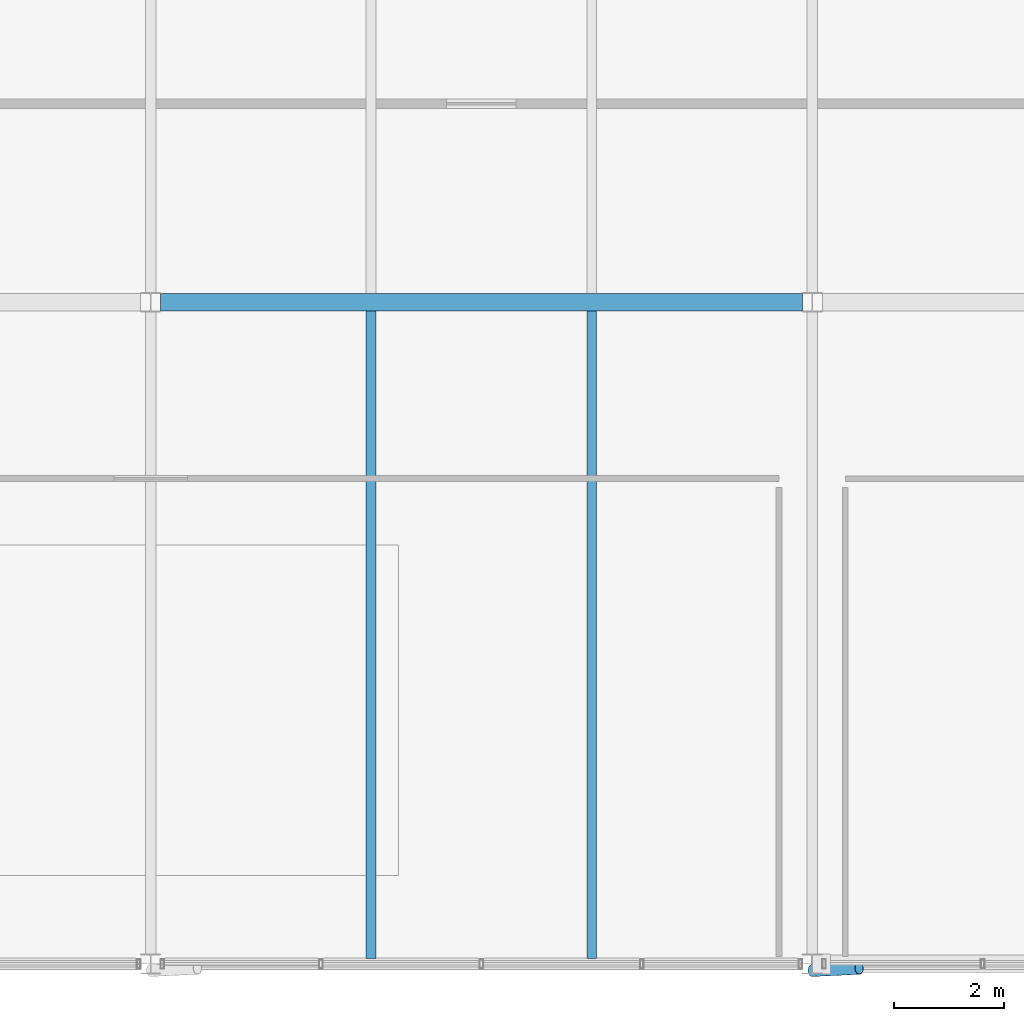
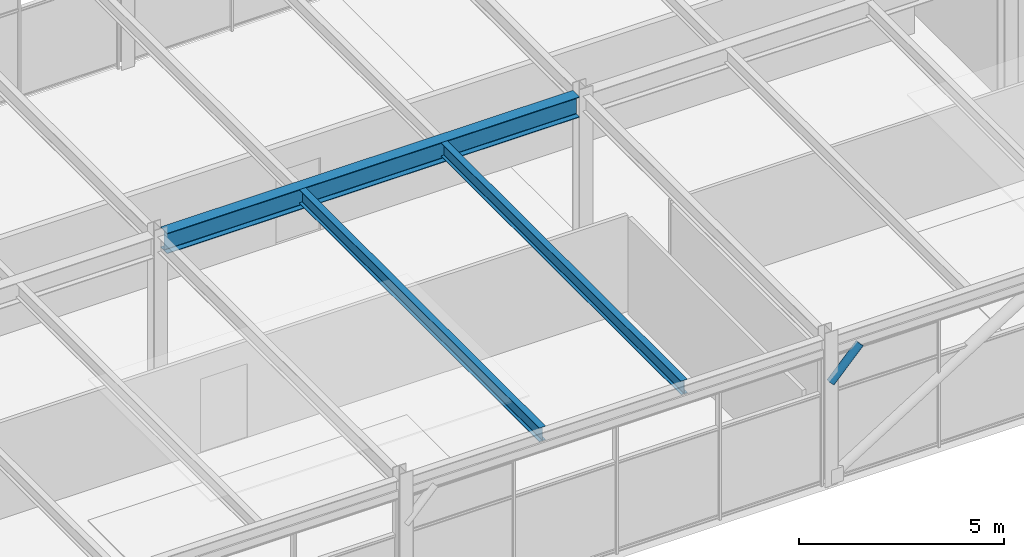
# One storey, part 15 of 28: 3 beams, 1 member.
"""IFC4 building model written with IfcOpenShell, lengths in metres."""

import ifcopenshell
import ifcopenshell.guid

model = None  # the IFC model being written
_history = None  # IfcOwnerHistory: only IFC2X3 demands one
_inside = {}  # id of a spatial element -> (the spatial element, [elements in it])
_under = {}  # id of a project, library or spatial element -> (it, [spatial elements below it])
_declared = {}  # id of a project -> (the project, [libraries it declares])
_typed = {}  # id of a type object -> (the type object, [elements of that type])
_made_of = {}  # id of a material, layer set ... -> (it, [elements and type objects made of it])


def new_model(schema):
    """Start an empty IFC model of exactly this schema.

    Asked for "IFC4X3", IfcOpenShell would pick the latest addendum, in which some entities
    have other attributes; the version numbers below select the first issue.
    IFC2X3 requires an IfcOwnerHistory on every rooted entity: one is made here for all.
    """
    global model, _history
    if schema == "IFC4X3":
        model = ifcopenshell.file(schema_version=(4, 3, 0, 0))
    else:
        model = ifcopenshell.file(schema=schema)
    _inside.clear()
    _under.clear()
    _declared.clear()
    _typed.clear()
    _made_of.clear()
    _history = None
    if model.schema == "IFC2X3":
        org = make("IfcOrganization", Name="unknown")
        user = make(
            "IfcPersonAndOrganization",
            ThePerson=make("IfcPerson", FamilyName="unknown"),
            TheOrganization=org,
        )
        app = make(
            "IfcApplication",
            ApplicationDeveloper=org,
            Version="unknown",
            ApplicationFullName="unknown",
            ApplicationIdentifier="unknown",
        )
        _history = make(
            "IfcOwnerHistory",
            OwningUser=user,
            OwningApplication=app,
            ChangeAction="ADDED",
            CreationDate=0,
        )
    return model


def make(cls, **values):
    """One entity of the class cls with the attributes given. An attribute that is None is left unset."""
    return model.create_entity(
        cls, **{name: value for name, value in values.items() if value is not None}
    )


def rooted(cls, **values):
    """An entity with a GlobalId (a new one), such as an element, a storey or a relation."""
    return make(cls, GlobalId=ifcopenshell.guid.new(), OwnerHistory=_history, **values)


def si_unit(unit_type, name, prefix=None):
    """IfcSIUnit, for example si_unit("LENGTHUNIT", "METRE", prefix="MILLI")."""
    return make("IfcSIUnit", UnitType=unit_type, Prefix=prefix, Name=name)


def assignment(units):
    """IfcUnitAssignment: the units of a project."""
    return None if units is None else make("IfcUnitAssignment", Units=units)


def point(xyz):
    """IfcCartesianPoint."""
    return None if xyz is None else make("IfcCartesianPoint", Coordinates=xyz)


def direction(xyz):
    """IfcDirection."""
    return None if xyz is None else make("IfcDirection", DirectionRatios=xyz)


def frame(location, z_axis=None, x_axis=None):
    """IfcAxis2Placement3D, a coordinate frame: its origin and axes. An axis left out is left unset."""
    return make(
        "IfcAxis2Placement3D",
        Location=point(location),
        Axis=direction(z_axis),
        RefDirection=direction(x_axis),
    )


def frame_2d(location, x_axis=None):
    """IfcAxis2Placement2D, a coordinate frame in the plane: its origin and x axis."""
    return make(
        "IfcAxis2Placement2D", Location=point(location), RefDirection=direction(x_axis)
    )


def origin():
    """The frame at (0, 0, 0) with its axes left unset."""
    return frame((0.0, 0.0, 0.0))


def origin_2d():
    """The frame at (0, 0) in the plane with its x axis left unset."""
    return frame_2d((0.0, 0.0))


def place(relative_to, where):
    """IfcLocalPlacement: puts the frame where relative to a parent placement (None: the world)."""
    return make(
        "IfcLocalPlacement", PlacementRelTo=relative_to, RelativePlacement=where
    )


def context(
    kind, dimensions, precision=None, world=None, true_north=None, identifier=None
):
    """IfcGeometricRepresentationContext, for example the 3D "Model" context."""
    return make(
        "IfcGeometricRepresentationContext",
        ContextIdentifier=identifier,
        ContextType=kind,
        CoordinateSpaceDimension=dimensions,
        Precision=precision,
        WorldCoordinateSystem=world,
        TrueNorth=true_north,
    )


def subcontext(parent, identifier, kind, view, scale=None):
    """IfcGeometricRepresentationSubContext, for example "Body" below "Model"."""
    return make(
        "IfcGeometricRepresentationSubContext",
        ContextIdentifier=identifier,
        ContextType=kind,
        ParentContext=parent,
        TargetScale=scale,
        TargetView=view,
    )


def project(units=None, contexts=None):
    """IfcProject with its units and contexts."""
    return rooted(
        "IfcProject",
        Name="project",
        RepresentationContexts=contexts,
        UnitsInContext=assignment(units),
    )


def spatial(cls, under=None, at=None, **own):
    """A site, building, storey or space (cls), placed at a placement, below another one or the project."""
    s = rooted(cls, ObjectPlacement=at, **own)
    if under is not None:
        _under.setdefault(under.id(), (under, []))[1].append(s)
    return s


def profile(cls, at=None, kind="AREA", **sizes):
    """A parametric profile (cls). Its sizes go by their IFC names, for example OverallWidth=200.0."""
    return make(cls, ProfileType=kind, Position=at, **sizes)


def hollow_circle(**sizes):
    """IfcCircleHollowProfileDef."""
    return profile("IfcCircleHollowProfileDef", **sizes)


def i_section(**sizes):
    """IfcIShapeProfileDef."""
    return profile("IfcIShapeProfileDef", **sizes)


def extrude(swept, where, along, depth):
    """IfcExtrudedAreaSolid: the profile swept, set in the frame where, extruded along a direction by depth."""
    return make(
        "IfcExtrudedAreaSolid",
        SweptArea=swept,
        Position=where,
        ExtrudedDirection=direction(along),
        Depth=depth,
    )


def shape(context_of_items, identifier, shape_type, items):
    """IfcShapeRepresentation: the items that make up one representation, for example the "Body"."""
    return make(
        "IfcShapeRepresentation",
        ContextOfItems=context_of_items,
        RepresentationIdentifier=identifier,
        RepresentationType=shape_type,
        Items=items,
    )


def material(Name=None, Category=None):
    """IfcMaterial."""
    return make("IfcMaterial", Name=Name, Category=Category)


def material_profile(
    of_material, cross_section, Name=None, Category=None, Priority=None
):
    """IfcMaterialProfile: a cross section and its material."""
    return make(
        "IfcMaterialProfile",
        Name=Name,
        Material=of_material,
        Profile=cross_section,
        Priority=Priority,
        Category=Category,
    )


def profile_set(profiles, Name=None, composite=None):
    """IfcMaterialProfileSet."""
    return make(
        "IfcMaterialProfileSet",
        Name=Name,
        MaterialProfiles=profiles,
        CompositeProfile=composite,
    )


def made_of(thing, what):
    """Note that an element or type object is made of a material, layer set ...; save() writes the relation."""
    if what is not None:
        _made_of.setdefault(what.id(), (what, []))[1].append(thing)
    return thing


def type_object(cls, material=None, **own):
    """A type object (cls), such as IfcWallType, which elements share."""
    return made_of(rooted(cls, **own), material)


def element(
    cls,
    number,
    at=None,
    inside=None,
    cuts=None,
    type_object=None,
    material=None,
    context=None,
    identifier="Body",
    shape_type=None,
    held_by="IfcProductDefinitionShape",
    body=None,
    shapes=None,
    **own,
):
    """One element of the class cls, such as IfcWall. Its Tag is "e" and its number.

    at: its placement. inside: the storey or other place that contains it. cuts: it is an
    opening in that element (IfcRelVoidsElement). A single representation is given by context,
    identifier, shape_type and body (its items); several are given by shapes. held_by: the class
    of the entity that holds the representations. save() writes the other relations.
    """
    e = rooted(cls, Tag="e%d" % number, ObjectPlacement=at, **own)
    if body is not None:
        shapes = [shape(context, identifier, shape_type, body)]
    if shapes is not None:
        e.Representation = make(held_by, Representations=shapes)
    if inside is not None:
        _inside.setdefault(inside.id(), (inside, []))[1].append(e)
    if cuts is not None:
        rooted(
            "IfcRelVoidsElement", RelatingBuildingElement=cuts, RelatedOpeningElement=e
        )
    if type_object is not None:
        _typed.setdefault(type_object.id(), (type_object, []))[1].append(e)
    return made_of(e, material)


def aggregate(whole, parts):
    """IfcRelAggregates: a whole, such as a stair, and the parts it consists of."""
    return rooted("IfcRelAggregates", RelatingObject=whole, RelatedObjects=parts)


def save(model, path):
    """Write the relations noted so far, then the file.

    IfcRelAggregates (storeys below a building ...), IfcRelContainedInSpatialStructure (elements
    in a storey), IfcRelDefinesByType, IfcRelAssociatesMaterial and IfcRelDeclares: one each for
    every whole, place, type object, material and project.
    """
    for whole, parts in _under.values():
        aggregate(whole, parts)
    for where, things in _inside.values():
        rooted(
            "IfcRelContainedInSpatialStructure",
            RelatedElements=things,
            RelatingStructure=where,
        )
    for kind, things in _typed.values():
        rooted("IfcRelDefinesByType", RelatedObjects=things, RelatingType=kind)
    for what, things in _made_of.values():
        rooted("IfcRelAssociatesMaterial", RelatedObjects=things, RelatingMaterial=what)
    for by, libraries in _declared.values():
        rooted("IfcRelDeclares", RelatingContext=by, RelatedDefinitions=libraries)
    model.write(path)


model = new_model("IFC4")

# Units and contexts
model_context = context("Model", 3, precision=1e-05, world=origin(), true_north=direction((0.0, 1.0)))
body_context = subcontext(model_context, "Body", "Model", "MODEL_VIEW")
ifc_project = project(units=[si_unit("LENGTHUNIT", "METRE"), si_unit("AREAUNIT", "SQUARE_METRE"), si_unit("VOLUMEUNIT", "CUBIC_METRE"), si_unit("PLANEANGLEUNIT", "RADIAN"), si_unit("MASSUNIT", "GRAM", prefix="KILO")], contexts=[model_context])

# Site, building, storey
site_placement = place(None, origin())
site = spatial("IfcSite", under=ifc_project, at=site_placement, CompositionType="ELEMENT")
building_placement = place(site_placement, origin())
building = spatial("IfcBuilding", under=site, at=building_placement, Name="Girod Span Mobility Hub", CompositionType="ELEMENT")
storey_placement = place(building_placement, frame((0.0, 0.0, 69.60009765625)))
storey = spatial("IfcBuildingStorey", under=building, at=storey_placement, Name="L17", CompositionType="ELEMENT", Elevation=69.60009765625)

# Beams
ifc_material_1 = material(Name="Steel A992 Grade 50", Category="steel")
ifc_material_profile_1 = material_profile(ifc_material_1, i_section(OverallWidth=0.178955078125, OverallDepth=0.409912109375, WebThickness=0.0087890625, FlangeThickness=0.014404296875, FilletRadius=0.012939453125, at=origin_2d()), Name="W16X45")
ifc_profile_set_1 = profile_set([ifc_material_profile_1], Name="Steel A992 Grade 50")
beam_type_1 = type_object("IfcBeamType", Name="BM-STL-W16X45", PredefinedType="BEAM", material=ifc_profile_set_1)
for number, where, z_axis, x_axis, name in (
    (1, (88.0, 45.10302734375, 4.1748046875), (0.0, 1.0, 0.0), (-1.0, 0.0, 0.0), "Composite Floorbeam 8/D-1 L17"),
    (2, (92.0, 45.10302734375, 4.1748046875), (0.0, 1.0, 0.0), (-1.0, 0.0, 0.0), "Composite Floorbeam 8/D-2 L17"),
):
    element("IfcBeam", number, at=place(storey_placement, frame(where, z_axis=z_axis, x_axis=x_axis)), inside=storey, type_object=beam_type_1, Name=name, PredefinedType="BEAM", context=body_context, shape_type="SweptSolid", body=[
        extrude(i_section(OverallWidth=0.178955078125, OverallDepth=0.409912109375, WebThickness=0.0087890625, FlangeThickness=0.014404296875, FilletRadius=0.012939453125, at=origin_2d()), origin(), (0.0, 0.0, 1.0), 11.738037109375),
    ])
ifc_material_2 = material(Name="Steel A992 Grade 50", Category="steel")
ifc_material_profile_2 = material_profile(ifc_material_2, i_section(OverallWidth=0.323974609375, OverallDepth=0.611083984375, WebThickness=0.0126953125, FlangeThickness=0.01904296875, FilletRadius=0.014892578125, at=origin_2d()), Name="W24X104")
ifc_profile_set_2 = profile_set([ifc_material_profile_2], Name="Steel A992 Grade 50")
beam_type_2 = type_object("IfcBeamType", Name="BM-STL-W24X104", PredefinedType="BEAM", material=ifc_profile_set_2)
beam_placement = place(storey_placement, frame((84.181396484375, 57.0, 4.074462890625), z_axis=(1.0, 0.0, 0.0), x_axis=(0.0, 1.0, 0.0)))
element("IfcBeam", 3, at=beam_placement, inside=storey, type_object=beam_type_2, Name="Girder 8-9/E L17", PredefinedType="BEAM", context=body_context, shape_type="SweptSolid", body=[
    extrude(i_section(OverallWidth=0.323974609375, OverallDepth=0.611083984375, WebThickness=0.0126953125, FlangeThickness=0.01904296875, FilletRadius=0.014892578125, at=origin_2d()), origin(), (0.0, 0.0, 1.0), 11.63720703125),
])

# Member
ifc_material_3 = material(Name="Steel HSS A500 Grade C", Category="steel")
ifc_material_profile_3 = material_profile(ifc_material_3, hollow_circle(Radius=0.109619140625, WallThickness=0.0087890625, at=origin_2d()), Name="HSS219X9.5")
ifc_profile_set_3 = profile_set([ifc_material_profile_3], Name="Steel HSS A500 Grade C")
member_type = type_object("IfcMemberType", Name="MB-ST-HSS219", PredefinedType="STRUT", material=ifc_profile_set_3)
member_placement = place(storey_placement, frame((96.0, 44.8798828125, 3.0498046875), z_axis=(0.706714954442, 0.033285827837, 0.706714954442), x_axis=(-0.047047213483, 0.998892666758, 0.0)))
element("IfcMember", 4, at=member_placement, inside=storey, type_object=member_type, Name="Solar Shading Knee Strut 9 L17", PredefinedType="STRUT", context=body_context, shape_type="SweptSolid", body=[
    extrude(hollow_circle(Radius=0.109619140625, WallThickness=0.0087890625, at=origin_2d()), origin(), (0.0, 0.0, 1.0), 1.202880859375),
])

save(model, "model.ifc")
